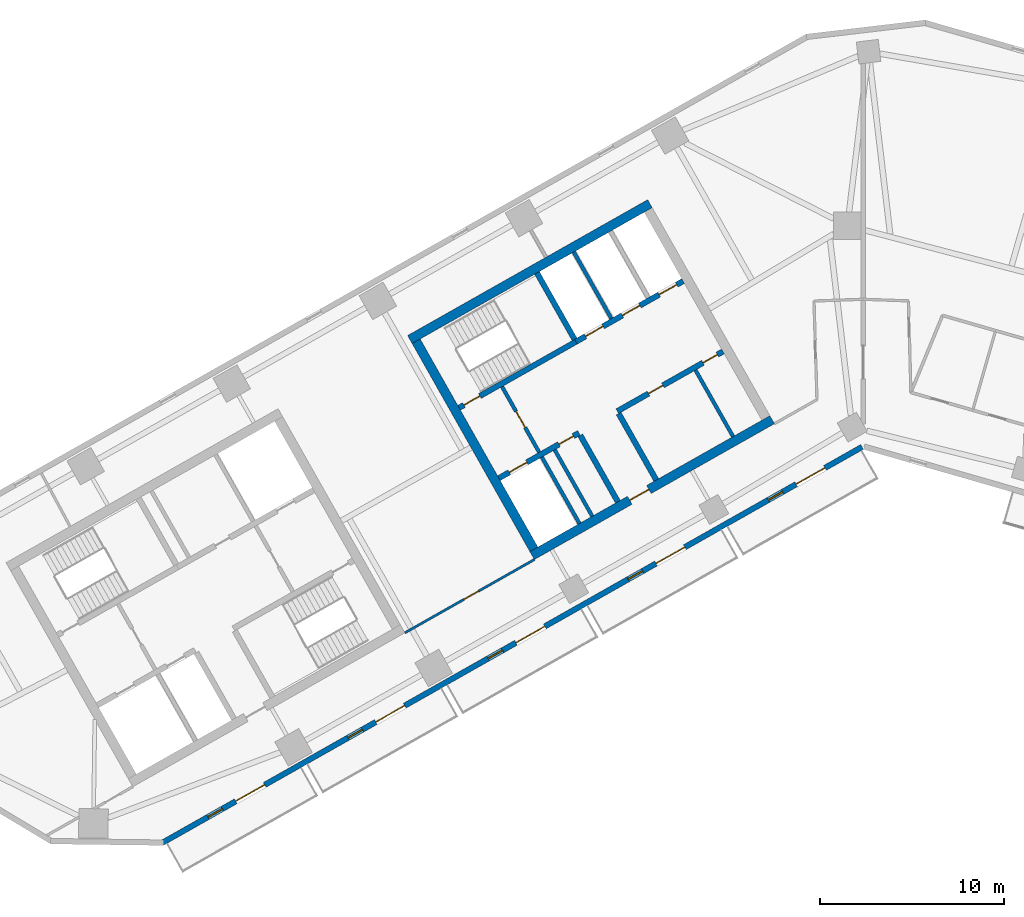
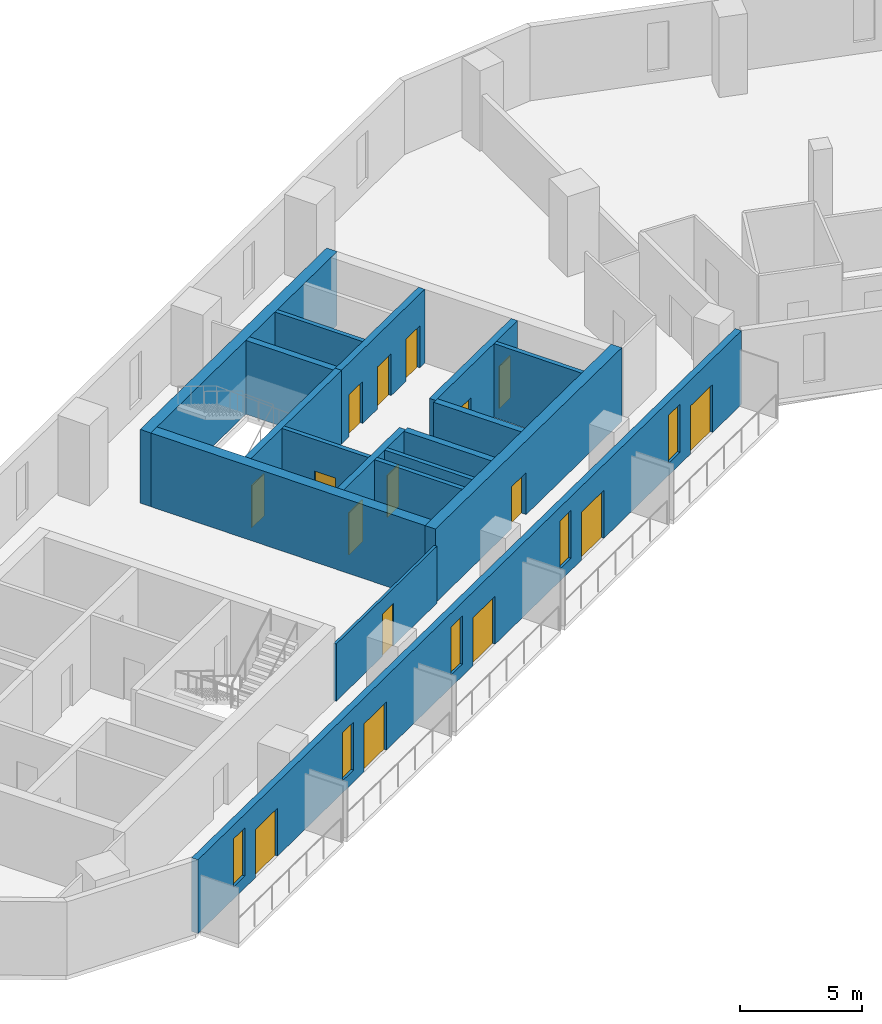
# One storey, part 4 of 9: 17 walls, 16 doors, 5 windows, 21 openings.
"""IFC4 building model written with IfcOpenShell, lengths in metres."""

import ifcopenshell
import ifcopenshell.guid

model = None  # the IFC model being written
_history = None  # IfcOwnerHistory: only IFC2X3 demands one
_inside = {}  # id of a spatial element -> (the spatial element, [elements in it])
_under = {}  # id of a project, library or spatial element -> (it, [spatial elements below it])
_declared = {}  # id of a project -> (the project, [libraries it declares])
_typed = {}  # id of a type object -> (the type object, [elements of that type])
_made_of = {}  # id of a material, layer set ... -> (it, [elements and type objects made of it])


def new_model(schema):
    """Start an empty IFC model of exactly this schema.

    Asked for "IFC4X3", IfcOpenShell would pick the latest addendum, in which some entities
    have other attributes; the version numbers below select the first issue.
    IFC2X3 requires an IfcOwnerHistory on every rooted entity: one is made here for all.
    """
    global model, _history
    if schema == "IFC4X3":
        model = ifcopenshell.file(schema_version=(4, 3, 0, 0))
    else:
        model = ifcopenshell.file(schema=schema)
    _inside.clear()
    _under.clear()
    _declared.clear()
    _typed.clear()
    _made_of.clear()
    _history = None
    if model.schema == "IFC2X3":
        org = make("IfcOrganization", Name="unknown")
        user = make(
            "IfcPersonAndOrganization",
            ThePerson=make("IfcPerson", FamilyName="unknown"),
            TheOrganization=org,
        )
        app = make(
            "IfcApplication",
            ApplicationDeveloper=org,
            Version="unknown",
            ApplicationFullName="unknown",
            ApplicationIdentifier="unknown",
        )
        _history = make(
            "IfcOwnerHistory",
            OwningUser=user,
            OwningApplication=app,
            ChangeAction="ADDED",
            CreationDate=0,
        )
    return model


def make(cls, **values):
    """One entity of the class cls with the attributes given. An attribute that is None is left unset."""
    return model.create_entity(
        cls, **{name: value for name, value in values.items() if value is not None}
    )


def rooted(cls, **values):
    """An entity with a GlobalId (a new one), such as an element, a storey or a relation."""
    return make(cls, GlobalId=ifcopenshell.guid.new(), OwnerHistory=_history, **values)


def si_unit(unit_type, name, prefix=None):
    """IfcSIUnit, for example si_unit("LENGTHUNIT", "METRE", prefix="MILLI")."""
    return make("IfcSIUnit", UnitType=unit_type, Prefix=prefix, Name=name)


def assignment(units):
    """IfcUnitAssignment: the units of a project."""
    return None if units is None else make("IfcUnitAssignment", Units=units)


def point(xyz):
    """IfcCartesianPoint."""
    return None if xyz is None else make("IfcCartesianPoint", Coordinates=xyz)


def direction(xyz):
    """IfcDirection."""
    return None if xyz is None else make("IfcDirection", DirectionRatios=xyz)


def frame(location, z_axis=None, x_axis=None):
    """IfcAxis2Placement3D, a coordinate frame: its origin and axes. An axis left out is left unset."""
    return make(
        "IfcAxis2Placement3D",
        Location=point(location),
        Axis=direction(z_axis),
        RefDirection=direction(x_axis),
    )


def frame_2d(location, x_axis=None):
    """IfcAxis2Placement2D, a coordinate frame in the plane: its origin and x axis."""
    return make(
        "IfcAxis2Placement2D", Location=point(location), RefDirection=direction(x_axis)
    )


def origin():
    """The frame at (0, 0, 0) with its axes left unset."""
    return frame((0.0, 0.0, 0.0))


def place(relative_to, where):
    """IfcLocalPlacement: puts the frame where relative to a parent placement (None: the world)."""
    return make(
        "IfcLocalPlacement", PlacementRelTo=relative_to, RelativePlacement=where
    )


def context(
    kind, dimensions, precision=None, world=None, true_north=None, identifier=None
):
    """IfcGeometricRepresentationContext, for example the 3D "Model" context."""
    return make(
        "IfcGeometricRepresentationContext",
        ContextIdentifier=identifier,
        ContextType=kind,
        CoordinateSpaceDimension=dimensions,
        Precision=precision,
        WorldCoordinateSystem=world,
        TrueNorth=true_north,
    )


def subcontext(parent, identifier, kind, view, scale=None):
    """IfcGeometricRepresentationSubContext, for example "Body" below "Model"."""
    return make(
        "IfcGeometricRepresentationSubContext",
        ContextIdentifier=identifier,
        ContextType=kind,
        ParentContext=parent,
        TargetScale=scale,
        TargetView=view,
    )


def project(units=None, contexts=None):
    """IfcProject with its units and contexts."""
    return rooted(
        "IfcProject",
        Name="project",
        RepresentationContexts=contexts,
        UnitsInContext=assignment(units),
    )


def spatial(cls, under=None, at=None, **own):
    """A site, building, storey or space (cls), placed at a placement, below another one or the project."""
    s = rooted(cls, ObjectPlacement=at, **own)
    if under is not None:
        _under.setdefault(under.id(), (under, []))[1].append(s)
    return s


def profile(cls, at=None, kind="AREA", **sizes):
    """A parametric profile (cls). Its sizes go by their IFC names, for example OverallWidth=200.0."""
    return make(cls, ProfileType=kind, Position=at, **sizes)


def rectangle(**sizes):
    """IfcRectangleProfileDef."""
    return profile("IfcRectangleProfileDef", **sizes)


def extrude(swept, where, along, depth):
    """IfcExtrudedAreaSolid: the profile swept, set in the frame where, extruded along a direction by depth."""
    return make(
        "IfcExtrudedAreaSolid",
        SweptArea=swept,
        Position=where,
        ExtrudedDirection=direction(along),
        Depth=depth,
    )


def shape(context_of_items, identifier, shape_type, items):
    """IfcShapeRepresentation: the items that make up one representation, for example the "Body"."""
    return make(
        "IfcShapeRepresentation",
        ContextOfItems=context_of_items,
        RepresentationIdentifier=identifier,
        RepresentationType=shape_type,
        Items=items,
    )


def material(Name=None, Category=None):
    """IfcMaterial."""
    return make("IfcMaterial", Name=Name, Category=Category)


def layer(
    of_material, thickness, ventilated=None, Name=None, Category=None, Priority=None
):
    """IfcMaterialLayer: one layer of a wall or slab, of a material (None: an air gap)."""
    return make(
        "IfcMaterialLayer",
        Material=of_material,
        LayerThickness=thickness,
        IsVentilated=ventilated,
        Name=Name,
        Category=Category,
        Priority=Priority,
    )


def layer_set(layers, Name=None):
    """IfcMaterialLayerSet."""
    return make("IfcMaterialLayerSet", MaterialLayers=layers, LayerSetName=Name)


def made_of(thing, what):
    """Note that an element or type object is made of a material, layer set ...; save() writes the relation."""
    if what is not None:
        _made_of.setdefault(what.id(), (what, []))[1].append(thing)
    return thing


def type_object(cls, material=None, **own):
    """A type object (cls), such as IfcWallType, which elements share."""
    return made_of(rooted(cls, **own), material)


def element(
    cls,
    number,
    at=None,
    inside=None,
    cuts=None,
    type_object=None,
    material=None,
    context=None,
    identifier="Body",
    shape_type=None,
    held_by="IfcProductDefinitionShape",
    body=None,
    shapes=None,
    **own,
):
    """One element of the class cls, such as IfcWall. Its Tag is "e" and its number.

    at: its placement. inside: the storey or other place that contains it. cuts: it is an
    opening in that element (IfcRelVoidsElement). A single representation is given by context,
    identifier, shape_type and body (its items); several are given by shapes. held_by: the class
    of the entity that holds the representations. save() writes the other relations.
    """
    e = rooted(cls, Tag="e%d" % number, ObjectPlacement=at, **own)
    if body is not None:
        shapes = [shape(context, identifier, shape_type, body)]
    if shapes is not None:
        e.Representation = make(held_by, Representations=shapes)
    if inside is not None:
        _inside.setdefault(inside.id(), (inside, []))[1].append(e)
    if cuts is not None:
        rooted(
            "IfcRelVoidsElement", RelatingBuildingElement=cuts, RelatedOpeningElement=e
        )
    if type_object is not None:
        _typed.setdefault(type_object.id(), (type_object, []))[1].append(e)
    return made_of(e, material)


def fill(opening, filler):
    """IfcRelFillsElement: the door or window that sits in an opening."""
    return rooted(
        "IfcRelFillsElement",
        RelatingOpeningElement=opening,
        RelatedBuildingElement=filler,
    )


def aggregate(whole, parts):
    """IfcRelAggregates: a whole, such as a stair, and the parts it consists of."""
    return rooted("IfcRelAggregates", RelatingObject=whole, RelatedObjects=parts)


def save(model, path):
    """Write the relations noted so far, then the file.

    IfcRelAggregates (storeys below a building ...), IfcRelContainedInSpatialStructure (elements
    in a storey), IfcRelDefinesByType, IfcRelAssociatesMaterial and IfcRelDeclares: one each for
    every whole, place, type object, material and project.
    """
    for whole, parts in _under.values():
        aggregate(whole, parts)
    for where, things in _inside.values():
        rooted(
            "IfcRelContainedInSpatialStructure",
            RelatedElements=things,
            RelatingStructure=where,
        )
    for kind, things in _typed.values():
        rooted("IfcRelDefinesByType", RelatedObjects=things, RelatingType=kind)
    for what, things in _made_of.values():
        rooted("IfcRelAssociatesMaterial", RelatedObjects=things, RelatingMaterial=what)
    for by, libraries in _declared.values():
        rooted("IfcRelDeclares", RelatingContext=by, RelatedDefinitions=libraries)
    model.write(path)


model = new_model("IFC4")

# Units and contexts
model_context = context("Model", 3, precision=1e-05, world=origin(), true_north=direction((0.0, 1.0)))
body_context = subcontext(model_context, "Body", "Model", "MODEL_VIEW")
ifc_project = project(units=[si_unit("LENGTHUNIT", "METRE"), si_unit("AREAUNIT", "SQUARE_METRE"), si_unit("VOLUMEUNIT", "CUBIC_METRE"), si_unit("PLANEANGLEUNIT", "RADIAN"), si_unit("MASSUNIT", "GRAM", prefix="KILO")], contexts=[model_context])

# Site, building, storey
site_placement = place(None, origin())
site = spatial("IfcSite", under=ifc_project, at=site_placement, CompositionType="ELEMENT")
building_placement = place(site_placement, origin())
building = spatial("IfcBuilding", under=site, at=building_placement, Name="Binnacle Exchange Tower", CompositionType="ELEMENT")
storey_placement = place(building_placement, frame((0.0, 0.0, 174.89990234375)))
storey = spatial("IfcBuildingStorey", under=building, at=storey_placement, Name="L37", CompositionType="ELEMENT", Elevation=174.89990234375)

# Wall
ifc_material_1 = material(Name="Gypsum partition fire rated")
ifc_layer_1 = layer(ifc_material_1, 0.199951171875)
ifc_layer_set_1 = layer_set([ifc_layer_1], Name="Core partition 200")
wall_type_1 = type_object("IfcWallType", Name="Core partition 200", PredefinedType="PARTITIONING", material=ifc_layer_set_1)
wall_1_placement = place(storey_placement, frame((-9.11279296875, 52.14404296875, 0.0), z_axis=(0.0, 0.0, 1.0), x_axis=(0.492396453737, -0.870371031427, 0.0)))
element("IfcWall", 1, at=wall_1_placement, inside=storey, type_object=wall_type_1, Name="Core wall CRWC22", PredefinedType="PARTITIONING", context=body_context, shape_type="SweptSolid", body=[
    extrude(rectangle(XDim=4.14990234375, YDim=0.199951171875, at=frame_2d((2.074951171875, 0.0))), origin(), (0.0, 0.0, 1.0), 3.68017578125),
])

# Wall, openings, doors
ifc_material_2 = material(Name="Concrete C70/85", Category="concrete")
ifc_layer_2 = layer(ifc_material_2, 0.300048828125)
ifc_layer_set_2 = layer_set([ifc_layer_2], Name="Core wall - front 300")
wall_type_2 = type_object("IfcWallType", Name="Core wall - front 300", PredefinedType="SOLIDWALL", material=ifc_layer_set_2)
wall_2_placement = place(storey_placement, frame((-19.80517578125, 46.26708984375, 0.0), z_axis=(0.0, 0.0, 1.0), x_axis=(0.870353598469, 0.492427267353, 0.0)))
wall_2 = element("IfcWall", 2, at=wall_2_placement, inside=storey, type_object=wall_type_2, Name="Core wall CRWC2", PredefinedType="SOLIDWALL", context=body_context, shape_type="SweptSolid", body=[
    extrude(rectangle(XDim=5.0, YDim=0.300048828125, at=frame_2d((2.5, 0.0))), origin(), (0.0, 0.0, 1.0), 3.68017578125),
])
opening_1_placement = place(wall_2_placement, frame((0.64990234375, 0.0, 0.0)))
opening_1 = element("IfcOpeningElement", 3, at=opening_1_placement, cuts=wall_2, Name="Opening LD14", PredefinedType="OPENING", context=body_context, shape_type="SweptSolid", body=[
    extrude(rectangle(XDim=1.10009765625, YDim=2.10009765625, at=frame_2d((0.550048828125, 1.050048828125))), frame((0.0, 0.159912109375, 0.0), z_axis=(0.0, -1.0, 0.0), x_axis=(1.0, 0.0, 0.0)), (0.0, 0.0, 1.0), 0.320068359375),
])
opening_2_placement = place(wall_2_placement, frame((3.75, 0.0, 0.0)))
opening_2 = element("IfcOpeningElement", 4, at=opening_2_placement, cuts=wall_2, Name="Opening DC14", PredefinedType="OPENING", context=body_context, shape_type="SweptSolid", body=[
    extrude(rectangle(XDim=0.89990234375, YDim=2.10009765625, at=frame_2d((0.449951171875, 1.050048828125))), frame((0.0, 0.159912109375, 0.0), z_axis=(0.0, -1.0, 0.0), x_axis=(1.0, 0.0, 0.0)), (0.0, 0.0, 1.0), 0.320068359375),
])
ifc_material_3 = material(Name="Steel door leaf", Category="steel")
door_type_1 = type_object("IfcDoorType", Name="Fire door - lift landing 1100", OperationType="NOTDEFINED", PredefinedType="DOOR", material=ifc_material_3)
door_1_placement = place(opening_1_placement, origin())
door_1 = element("IfcDoor", 5, at=door_1_placement, inside=storey, type_object=door_type_1, Name="Landing door LD14 L37", OperationType="DOUBLE_DOOR_SLIDING", OverallHeight=2.10009765625, OverallWidth=1.10009765625, PredefinedType="DOOR", context=body_context, shape_type="SweptSolid", body=[
    extrude(rectangle(XDim=1.10009765625, YDim=2.10009765625, at=frame_2d((0.550048828125, 1.050048828125))), frame((0.0, 0.02490234375, 0.0), z_axis=(0.0, -1.0, 0.0), x_axis=(1.0, 0.0, 0.0)), (0.0, 0.0, 1.0), 0.050048828125),
])
fill(opening_1, door_1)
door_type_2 = type_object("IfcDoorType", Name="Fire door 900", OperationType="NOTDEFINED", PredefinedType="DOOR", material=ifc_material_3)
door_2_placement = place(opening_2_placement, frame((0.89990234375, 0.0, 0.0), z_axis=(0.0, 0.0, 1.0), x_axis=(-1.0, 0.0, 0.0)))
door_2 = element("IfcDoor", 6, at=door_2_placement, inside=storey, type_object=door_type_2, Name="Core room door IT STORE", OperationType="SINGLE_SWING_LEFT", OverallHeight=2.10009765625, OverallWidth=0.89990234375, PredefinedType="DOOR", context=body_context, shape_type="SweptSolid", body=[
    extrude(rectangle(XDim=0.89990234375, YDim=2.10009765625, at=frame_2d((0.449951171875, 1.050048828125))), frame((0.0, 0.02490234375, 0.0), z_axis=(0.0, -1.0, 0.0), x_axis=(1.0, 0.0, 0.0)), (0.0, 0.0, 1.0), 0.050048828125),
])
fill(opening_2, door_2)

wall_3_placement = place(storey_placement, frame((-13.364501953125, 49.910888671875, 0.0), z_axis=(0.0, 0.0, 1.0), x_axis=(0.870356769198, 0.492421663121, 0.0)))
wall_3 = element("IfcWall", 7, at=wall_3_placement, inside=storey, type_object=wall_type_2, Name="Core wall CRWC3", PredefinedType="SOLIDWALL", context=body_context, shape_type="SweptSolid", body=[
    extrude(rectangle(XDim=6.60009765625, YDim=0.300048828125, at=frame_2d((3.300048828125, 0.0))), origin(), (0.0, 0.0, 1.0), 3.68017578125),
])
opening_3_placement = place(wall_3_placement, frame((1.949951171875, 0.0, 0.0)))
opening_3 = element("IfcOpeningElement", 8, at=opening_3_placement, cuts=wall_3, Name="Opening DC18", PredefinedType="OPENING", context=body_context, shape_type="SweptSolid", body=[
    extrude(rectangle(XDim=0.89990234375, YDim=2.10009765625, at=frame_2d((0.449951171875, 1.050048828125))), frame((0.0, 0.159912109375, 0.0), z_axis=(0.0, -1.0, 0.0), x_axis=(1.0, 0.0, 0.0)), (0.0, 0.0, 1.0), 0.320068359375),
])
opening_4_placement = place(wall_3_placement, frame((5.35009765625, 0.0, 0.0)))
opening_4 = element("IfcOpeningElement", 9, at=opening_4_placement, cuts=wall_3, Name="Opening DC19", PredefinedType="OPENING", context=body_context, shape_type="SweptSolid", body=[
    extrude(rectangle(XDim=0.89990234375, YDim=2.10009765625, at=frame_2d((0.449951171875, 1.050048828125))), frame((0.0, 0.159912109375, 0.0), z_axis=(0.0, -1.0, 0.0), x_axis=(1.0, 0.0, 0.0)), (0.0, 0.0, 1.0), 0.320068359375),
])
door_3_placement = place(opening_3_placement, frame((0.89990234375, 0.0, 0.0), z_axis=(0.0, 0.0, 1.0), x_axis=(-1.0, 0.0, 0.0)))
door_3 = element("IfcDoor", 10, at=door_3_placement, inside=storey, type_object=door_type_2, Name="Core room door TELECOM RISER ROOM", OperationType="SINGLE_SWING_RIGHT", OverallHeight=2.10009765625, OverallWidth=0.89990234375, PredefinedType="DOOR", context=body_context, shape_type="SweptSolid", body=[
    extrude(rectangle(XDim=0.89990234375, YDim=2.10009765625, at=frame_2d((0.449951171875, 1.050048828125))), frame((0.0, 0.02490234375, 0.0), z_axis=(0.0, -1.0, 0.0), x_axis=(1.0, 0.0, 0.0)), (0.0, 0.0, 1.0), 0.050048828125),
])
fill(opening_3, door_3)
door_4_placement = place(opening_4_placement, frame((0.89990234375, 0.0, 0.0), z_axis=(0.0, 0.0, 1.0), x_axis=(-1.0, 0.0, 0.0)))
door_4 = element("IfcDoor", 11, at=door_4_placement, inside=storey, type_object=door_type_2, Name="Core room door FIBRE ENTRY ROOM", OperationType="SINGLE_SWING_LEFT", OverallHeight=2.10009765625, OverallWidth=0.89990234375, PredefinedType="DOOR", context=body_context, shape_type="SweptSolid", body=[
    extrude(rectangle(XDim=0.89990234375, YDim=2.10009765625, at=frame_2d((0.449951171875, 1.050048828125))), frame((0.0, 0.02490234375, 0.0), z_axis=(0.0, -1.0, 0.0), x_axis=(1.0, 0.0, 0.0)), (0.0, 0.0, 1.0), 0.050048828125),
])
fill(opening_4, door_4)

wall_4_placement = place(storey_placement, frame((-15.6181640625, 53.69140625, 0.0), z_axis=(0.0, 0.0, 1.0), x_axis=(0.870363236066, 0.492410232738, 0.0)))
wall_4 = element("IfcWall", 12, at=wall_4_placement, inside=storey, type_object=wall_type_2, Name="Core wall CRWC5", PredefinedType="SOLIDWALL", context=body_context, shape_type="SweptSolid", body=[
    extrude(rectangle(XDim=6.699951171875, YDim=0.300048828125, at=frame_2d((3.35009765625, 0.0))), origin(), (0.0, 0.0, 1.0), 3.68017578125),
])
opening_5_placement = place(wall_4_placement, frame((0.60009765625, 0.0, 0.0)))
opening_5 = element("IfcOpeningElement", 13, at=opening_5_placement, cuts=wall_4, Name="Opening LD5", PredefinedType="OPENING", context=body_context, shape_type="SweptSolid", body=[
    extrude(rectangle(XDim=1.10009765625, YDim=2.10009765625, at=frame_2d((0.550048828125, 1.050048828125))), frame((0.0, 0.159912109375, 0.0), z_axis=(0.0, -1.0, 0.0), x_axis=(1.0, 0.0, 0.0)), (0.0, 0.0, 1.0), 0.320068359375),
])
opening_6_placement = place(wall_4_placement, frame((2.89990234375, 0.0, 0.0)))
opening_6 = element("IfcOpeningElement", 14, at=opening_6_placement, cuts=wall_4, Name="Opening LD6", PredefinedType="OPENING", context=body_context, shape_type="SweptSolid", body=[
    extrude(rectangle(XDim=1.10009765625, YDim=2.10009765625, at=frame_2d((0.550048828125, 1.050048828125))), frame((0.0, 0.159912109375, 0.0), z_axis=(0.0, -1.0, 0.0), x_axis=(1.0, 0.0, 0.0)), (0.0, 0.0, 1.0), 0.320068359375),
])
opening_7_placement = place(wall_4_placement, frame((5.199951171875, 0.0, 0.0)))
opening_7 = element("IfcOpeningElement", 15, at=opening_7_placement, cuts=wall_4, Name="Opening LD7", PredefinedType="OPENING", context=body_context, shape_type="SweptSolid", body=[
    extrude(rectangle(XDim=1.10009765625, YDim=2.10009765625, at=frame_2d((0.550048828125, 1.050048828125))), frame((0.0, 0.159912109375, 0.0), z_axis=(0.0, -1.0, 0.0), x_axis=(1.0, 0.0, 0.0)), (0.0, 0.0, 1.0), 0.320068359375),
])
door_5_placement = place(opening_5_placement, origin())
door_5 = element("IfcDoor", 16, at=door_5_placement, inside=storey, type_object=door_type_1, Name="Landing door LD5 L37", OperationType="DOUBLE_DOOR_SLIDING", OverallHeight=2.10009765625, OverallWidth=1.10009765625, PredefinedType="DOOR", context=body_context, shape_type="SweptSolid", body=[
    extrude(rectangle(XDim=1.10009765625, YDim=2.10009765625, at=frame_2d((0.550048828125, 1.050048828125))), frame((0.0, 0.02490234375, 0.0), z_axis=(0.0, -1.0, 0.0), x_axis=(1.0, 0.0, 0.0)), (0.0, 0.0, 1.0), 0.050048828125),
])
fill(opening_5, door_5)
door_6_placement = place(opening_6_placement, origin())
door_6 = element("IfcDoor", 17, at=door_6_placement, inside=storey, type_object=door_type_1, Name="Landing door LD6 L37", OperationType="DOUBLE_DOOR_SLIDING", OverallHeight=2.10009765625, OverallWidth=1.10009765625, PredefinedType="DOOR", context=body_context, shape_type="SweptSolid", body=[
    extrude(rectangle(XDim=1.10009765625, YDim=2.10009765625, at=frame_2d((0.550048828125, 1.050048828125))), frame((0.0, 0.02490234375, 0.0), z_axis=(0.0, -1.0, 0.0), x_axis=(1.0, 0.0, 0.0)), (0.0, 0.0, 1.0), 0.050048828125),
])
fill(opening_6, door_6)
door_7_placement = place(opening_7_placement, origin())
door_7 = element("IfcDoor", 18, at=door_7_placement, inside=storey, type_object=door_type_1, Name="Landing door LD7 L37", OperationType="DOUBLE_DOOR_SLIDING", OverallHeight=2.10009765625, OverallWidth=1.10009765625, PredefinedType="DOOR", context=body_context, shape_type="SweptSolid", body=[
    extrude(rectangle(XDim=1.10009765625, YDim=2.10009765625, at=frame_2d((0.550048828125, 1.050048828125))), frame((0.0, 0.02490234375, 0.0), z_axis=(0.0, -1.0, 0.0), x_axis=(1.0, 0.0, 0.0)), (0.0, 0.0, 1.0), 0.050048828125),
])
fill(opening_7, door_7)

# Walls
for number, where, z_axis, x_axis, name in (
    (19, (-15.37939453125, 48.5986328125, 0.0), (0.0, 0.0, 1.0), (0.492396453737, -0.870371031427, 0.0), "Core wall CRWC13"),
    (20, (-13.29052734375, 49.780517578125, 0.0), (0.0, 0.0, 1.0), (0.492396453737, -0.870371031427, 0.0), "Core wall CRWC15"),
):
    element("IfcWall", number, at=place(storey_placement, frame(where, z_axis=z_axis, x_axis=x_axis)), inside=storey, type_object=wall_type_2, Name=name, PredefinedType="SOLIDWALL", context=body_context, shape_type="SweptSolid", body=[
        extrude(rectangle(XDim=4.14990234375, YDim=0.300048828125, at=frame_2d((2.074951171875, 0.0))), origin(), (0.0, 0.0, 1.0), 3.68017578125),
    ])

# Wall, opening, door
ifc_layer_3 = layer(ifc_material_2, 0.5)
ifc_layer_set_3 = layer_set([ifc_layer_3], Name="Core wall - outer 500")
wall_type_3 = type_object("IfcWallType", Name="Core wall - outer 500", PredefinedType="SOLIDWALL", material=ifc_layer_set_3)
wall_5_placement = place(storey_placement, frame((-17.999755859375, 42.060791015625, 0.0), z_axis=(0.0, 0.0, 1.0), x_axis=(0.870356627484, 0.492421913601, 0.0)))
wall_5 = element("IfcWall", 21, at=wall_5_placement, inside=storey, type_object=wall_type_3, Name="Core wall CRWC1", PredefinedType="SOLIDWALL", context=body_context, shape_type="SweptSolid", body=[
    extrude(rectangle(XDim=14.999755859375, YDim=0.5, at=frame_2d((7.5, 0.0))), origin(), (0.0, 0.0, 1.0), 3.68017578125),
])
opening_8_placement = place(wall_5_placement, frame((6.10009765625, 0.0, 0.0)))
opening_8 = element("IfcOpeningElement", 22, at=opening_8_placement, cuts=wall_5, Name="Opening DC7", PredefinedType="OPENING", context=body_context, shape_type="SweptSolid", body=[
    extrude(rectangle(XDim=1.199951171875, YDim=2.10009765625, at=frame_2d((0.60009765625, 1.050048828125))), frame((0.0, 0.260009765625, 0.0), z_axis=(0.0, -1.0, 0.0), x_axis=(1.0, 0.0, 0.0)), (0.0, 0.0, 1.0), 0.52001953125),
])
door_type_3 = type_object("IfcDoorType", Name="Fire door 1200", OperationType="NOTDEFINED", PredefinedType="DOOR", material=ifc_material_3)
door_8_placement = place(opening_8_placement, frame((1.199951171875, 0.0, 0.0), z_axis=(0.0, 0.0, 1.0), x_axis=(-1.0, 0.0, 0.0)))
door_8 = element("IfcDoor", 23, at=door_8_placement, inside=storey, type_object=door_type_3, Name="Lift lobby entrance door core C", OperationType="SINGLE_SWING_RIGHT", OverallHeight=2.10009765625, OverallWidth=1.199951171875, PredefinedType="DOOR", context=body_context, shape_type="SweptSolid", body=[
    extrude(rectangle(XDim=1.199951171875, YDim=2.10009765625, at=frame_2d((0.60009765625, 1.050048828125))), frame((0.0, 0.02490234375, 0.0), z_axis=(0.0, -1.0, 0.0), x_axis=(1.0, 0.0, 0.0)), (0.0, 0.0, 1.0), 0.050048828125),
])
fill(opening_8, door_8)

# Walls
wall_6_placement = place(storey_placement, frame((-24.6474609375, 53.810546875, 0.0), z_axis=(0.0, 0.0, 1.0), x_axis=(0.87034965173, 0.492434243055, 0.0)))
element("IfcWall", 24, at=wall_6_placement, inside=storey, type_object=wall_type_3, Name="Core wall CRWC6", PredefinedType="SOLIDWALL", context=body_context, shape_type="SweptSolid", body=[
    extrude(rectangle(XDim=15.0, YDim=0.5, at=frame_2d((7.5, 0.0))), origin(), (0.0, 0.0, 1.0), 3.68017578125),
])
wall_7_placement = place(storey_placement, frame((-24.306884765625, 53.716064453125, 0.0), z_axis=(0.0, 0.0, 1.0), x_axis=(0.492427267353, -0.870353598469, 0.0)))
element("IfcWall", 25, at=wall_7_placement, inside=storey, type_object=wall_type_3, Name="Core wall CRWC7", PredefinedType="SOLIDWALL", context=body_context, shape_type="SweptSolid", body=[
    extrude(rectangle(XDim=13.0, YDim=0.5, at=frame_2d((6.5, 0.0))), origin(), (0.0, 0.0, 1.0), 3.68017578125),
])

# Wall, opening, door
ifc_layer_4 = layer(ifc_material_2, 0.300048828125)
ifc_layer_set_4 = layer_set([ifc_layer_4], Name="Core wall - stair 300")
wall_type_4 = type_object("IfcWallType", Name="Core wall - stair 300", PredefinedType="SOLIDWALL", material=ifc_layer_set_4)
wall_8_placement = place(storey_placement, frame((-21.9716796875, 50.0966796875, 0.0), z_axis=(0.0, 0.0, 1.0), x_axis=(0.870350976978, 0.492431900747, 0.0)))
wall_8 = element("IfcWall", 26, at=wall_8_placement, inside=storey, type_object=wall_type_4, Name="Core wall CRWC4", PredefinedType="SOLIDWALL", context=body_context, shape_type="SweptSolid", body=[
    extrude(rectangle(XDim=7.300048828125, YDim=0.300048828125, at=frame_2d((3.64990234375, 0.0))), origin(), (0.0, 0.0, 1.0), 3.68017578125),
])
opening_9_placement = place(wall_8_placement, frame((0.300048828125, 0.0, 0.0)))
opening_9 = element("IfcOpeningElement", 27, at=opening_9_placement, cuts=wall_8, Name="Opening DC1", PredefinedType="OPENING", context=body_context, shape_type="SweptSolid", body=[
    extrude(rectangle(XDim=1.0, YDim=2.10009765625, at=frame_2d((0.5, 1.050048828125))), frame((0.0, 0.159912109375, 0.0), z_axis=(0.0, -1.0, 0.0), x_axis=(1.0, 0.0, 0.0)), (0.0, 0.0, 1.0), 0.320068359375),
])
door_type_4 = type_object("IfcDoorType", Name="Fire door 1000", OperationType="NOTDEFINED", PredefinedType="DOOR", material=ifc_material_3)
door_9_placement = place(opening_9_placement, origin())
door_9 = element("IfcDoor", 28, at=door_9_placement, inside=storey, type_object=door_type_4, Name="Stair door ST-C1", OperationType="SINGLE_SWING_LEFT", OverallHeight=2.10009765625, OverallWidth=1.0, PredefinedType="DOOR", context=body_context, shape_type="SweptSolid", body=[
    extrude(rectangle(XDim=1.0, YDim=2.10009765625, at=frame_2d((0.5, 1.050048828125))), frame((0.0, 0.02490234375, 0.0), z_axis=(0.0, -1.0, 0.0), x_axis=(1.0, 0.0, 0.0)), (0.0, 0.0, 1.0), 0.050048828125),
])
fill(opening_9, door_9)

# Wall
wall_9_placement = place(storey_placement, frame((-17.735595703125, 57.433837890625, 0.0), z_axis=(0.0, 0.0, 1.0), x_axis=(0.492421666909, -0.870356767055, 0.0)))
element("IfcWall", 29, at=wall_9_placement, inside=storey, type_object=wall_type_4, Name="Core wall CRWC14", PredefinedType="SOLIDWALL", context=body_context, shape_type="SweptSolid", body=[
    extrude(rectangle(XDim=4.14990234375, YDim=0.300048828125, at=frame_2d((2.074951171875, 0.0))), origin(), (0.0, 0.0, 1.0), 3.68017578125),
])

# Wall, openings, doors, windows
ifc_material_4 = material(Name="Bronze aluminium cladding", Category="aluminium")
ifc_layer_5 = layer(ifc_material_4, 0.300048828125)
ifc_layer_set_5 = layer_set([ifc_layer_5], Name="External wall - spandrel 300")
wall_type_5 = type_object("IfcWallType", Name="External wall - spandrel 300", PredefinedType="STANDARD", material=ifc_layer_set_5)
wall_10_placement = place(storey_placement, frame((-0.0546875, 47.968994140625, 0.0), z_axis=(0.0, 0.0, 1.0), x_axis=(-0.870355730478, -0.492423499058, 0.0)))
wall_10 = element("IfcWall", 30, at=wall_10_placement, inside=storey, type_object=wall_type_5, Name="External wall EW-G01 L37", PredefinedType="STANDARD", context=body_context, shape_type="SweptSolid", body=[
    extrude(rectangle(XDim=43.750244140625, YDim=0.300048828125, at=frame_2d((21.875, 0.0))), origin(), (0.0, 0.0, 1.0), 3.68017578125),
])
opening_10_placement = place(wall_10_placement, frame((39.976806640625, 0.0, 0.60009765625)))
opening_10 = element("IfcOpeningElement", 31, at=opening_10_placement, cuts=wall_10, Name="Opening WS3", PredefinedType="OPENING", context=body_context, shape_type="SweptSolid", body=[
    extrude(rectangle(XDim=0.89990234375, YDim=2.39990234375, at=frame_2d((0.449951171875, 1.199951171875))), frame((0.0, 0.159912109375, 0.0), z_axis=(0.0, -1.0, 0.0), x_axis=(1.0, 0.0, 0.0)), (0.0, 0.0, 1.0), 0.320068359375),
])
opening_11_placement = place(wall_10_placement, frame((37.338134765625, 0.0, 0.0)))
opening_11 = element("IfcOpeningElement", 32, at=opening_11_placement, cuts=wall_10, Name="Opening D-FS11-01", PredefinedType="OPENING", context=body_context, shape_type="SweptSolid", body=[
    extrude(rectangle(XDim=1.800048828125, YDim=2.39990234375, at=frame_2d((0.89990234375, 1.199951171875))), frame((0.0, 0.159912109375, 0.0), z_axis=(0.0, -1.0, 0.0), x_axis=(1.0, 0.0, 0.0)), (0.0, 0.0, 1.0), 0.320068359375),
])
opening_12_placement = place(wall_10_placement, frame((31.222412109375, 0.0, 0.60009765625)))
opening_12 = element("IfcOpeningElement", 33, at=opening_12_placement, cuts=wall_10, Name="Opening WS3", PredefinedType="OPENING", context=body_context, shape_type="SweptSolid", body=[
    extrude(rectangle(XDim=0.89990234375, YDim=2.39990234375, at=frame_2d((0.449951171875, 1.199951171875))), frame((0.0, 0.159912109375, 0.0), z_axis=(0.0, -1.0, 0.0), x_axis=(1.0, 0.0, 0.0)), (0.0, 0.0, 1.0), 0.320068359375),
])
opening_13_placement = place(wall_10_placement, frame((28.583740234375, 0.0, 0.0)))
opening_13 = element("IfcOpeningElement", 34, at=opening_13_placement, cuts=wall_10, Name="Opening D-FS11-02", PredefinedType="OPENING", context=body_context, shape_type="SweptSolid", body=[
    extrude(rectangle(XDim=1.800048828125, YDim=2.39990234375, at=frame_2d((0.89990234375, 1.199951171875))), frame((0.0, 0.159912109375, 0.0), z_axis=(0.0, -1.0, 0.0), x_axis=(1.0, 0.0, 0.0)), (0.0, 0.0, 1.0), 0.320068359375),
])
opening_14_placement = place(wall_10_placement, frame((22.4677734375, 0.0, 0.60009765625)))
opening_14 = element("IfcOpeningElement", 35, at=opening_14_placement, cuts=wall_10, Name="Opening WS3", PredefinedType="OPENING", context=body_context, shape_type="SweptSolid", body=[
    extrude(rectangle(XDim=0.89990234375, YDim=2.39990234375, at=frame_2d((0.449951171875, 1.199951171875))), frame((0.0, 0.159912109375, 0.0), z_axis=(0.0, -1.0, 0.0), x_axis=(1.0, 0.0, 0.0)), (0.0, 0.0, 1.0), 0.320068359375),
])
opening_15_placement = place(wall_10_placement, frame((19.8291015625, 0.0, 0.0)))
opening_15 = element("IfcOpeningElement", 36, at=opening_15_placement, cuts=wall_10, Name="Opening D-FS11-03", PredefinedType="OPENING", context=body_context, shape_type="SweptSolid", body=[
    extrude(rectangle(XDim=1.800048828125, YDim=2.39990234375, at=frame_2d((0.89990234375, 1.199951171875))), frame((0.0, 0.159912109375, 0.0), z_axis=(0.0, -1.0, 0.0), x_axis=(1.0, 0.0, 0.0)), (0.0, 0.0, 1.0), 0.320068359375),
])
opening_16_placement = place(wall_10_placement, frame((13.713134765625, 0.0, 0.60009765625)))
opening_16 = element("IfcOpeningElement", 37, at=opening_16_placement, cuts=wall_10, Name="Opening WS3", PredefinedType="OPENING", context=body_context, shape_type="SweptSolid", body=[
    extrude(rectangle(XDim=0.89990234375, YDim=2.39990234375, at=frame_2d((0.449951171875, 1.199951171875))), frame((0.0, 0.159912109375, 0.0), z_axis=(0.0, -1.0, 0.0), x_axis=(1.0, 0.0, 0.0)), (0.0, 0.0, 1.0), 0.320068359375),
])
opening_17_placement = place(wall_10_placement, frame((11.07470703125, 0.0, 0.0)))
opening_17 = element("IfcOpeningElement", 38, at=opening_17_placement, cuts=wall_10, Name="Opening D-FS11-04", PredefinedType="OPENING", context=body_context, shape_type="SweptSolid", body=[
    extrude(rectangle(XDim=1.800048828125, YDim=2.39990234375, at=frame_2d((0.89990234375, 1.199951171875))), frame((0.0, 0.159912109375, 0.0), z_axis=(0.0, -1.0, 0.0), x_axis=(1.0, 0.0, 0.0)), (0.0, 0.0, 1.0), 0.320068359375),
])
opening_18_placement = place(wall_10_placement, frame((4.958740234375, 0.0, 0.60009765625)))
opening_18 = element("IfcOpeningElement", 39, at=opening_18_placement, cuts=wall_10, Name="Opening WS3", PredefinedType="OPENING", context=body_context, shape_type="SweptSolid", body=[
    extrude(rectangle(XDim=0.89990234375, YDim=2.39990234375, at=frame_2d((0.449951171875, 1.199951171875))), frame((0.0, 0.159912109375, 0.0), z_axis=(0.0, -1.0, 0.0), x_axis=(1.0, 0.0, 0.0)), (0.0, 0.0, 1.0), 0.320068359375),
])
opening_19_placement = place(wall_10_placement, frame((2.320068359375, 0.0, 0.0)))
opening_19 = element("IfcOpeningElement", 40, at=opening_19_placement, cuts=wall_10, Name="Opening D-FS11-05", PredefinedType="OPENING", context=body_context, shape_type="SweptSolid", body=[
    extrude(rectangle(XDim=1.800048828125, YDim=2.39990234375, at=frame_2d((0.89990234375, 1.199951171875))), frame((0.0, 0.159912109375, 0.0), z_axis=(0.0, -1.0, 0.0), x_axis=(1.0, 0.0, 0.0)), (0.0, 0.0, 1.0), 0.320068359375),
])
ifc_material_5 = material(Name="Bronze anodised aluminium frame", Category="aluminium")
door_type_5 = type_object("IfcDoorType", Name="DB DOOR 1800x2400", OperationType="DOUBLE_DOOR_SINGLE_SWING", PredefinedType="DOOR", material=ifc_material_5)
door_10_placement = place(opening_11_placement, origin())
door_10 = element("IfcDoor", 41, at=door_10_placement, inside=storey, type_object=door_type_5, Name="Door D-FS11-01 L37", OperationType="DOUBLE_DOOR_SINGLE_SWING", OverallHeight=2.39990234375, OverallWidth=1.800048828125, PredefinedType="DOOR", context=body_context, shape_type="SweptSolid", body=[
    extrude(rectangle(XDim=1.800048828125, YDim=2.39990234375, at=frame_2d((0.89990234375, 1.199951171875))), frame((0.0, 0.02490234375, 0.0), z_axis=(0.0, -1.0, 0.0), x_axis=(1.0, 0.0, 0.0)), (0.0, 0.0, 1.0), 0.050048828125),
])
fill(opening_11, door_10)
door_11_placement = place(opening_13_placement, origin())
door_11 = element("IfcDoor", 42, at=door_11_placement, inside=storey, type_object=door_type_5, Name="Door D-FS11-02 L37", OperationType="DOUBLE_DOOR_SINGLE_SWING", OverallHeight=2.39990234375, OverallWidth=1.800048828125, PredefinedType="DOOR", context=body_context, shape_type="SweptSolid", body=[
    extrude(rectangle(XDim=1.800048828125, YDim=2.39990234375, at=frame_2d((0.89990234375, 1.199951171875))), frame((0.0, 0.02490234375, 0.0), z_axis=(0.0, -1.0, 0.0), x_axis=(1.0, 0.0, 0.0)), (0.0, 0.0, 1.0), 0.050048828125),
])
fill(opening_13, door_11)
door_12_placement = place(opening_15_placement, origin())
door_12 = element("IfcDoor", 43, at=door_12_placement, inside=storey, type_object=door_type_5, Name="Door D-FS11-03 L37", OperationType="DOUBLE_DOOR_SINGLE_SWING", OverallHeight=2.39990234375, OverallWidth=1.800048828125, PredefinedType="DOOR", context=body_context, shape_type="SweptSolid", body=[
    extrude(rectangle(XDim=1.800048828125, YDim=2.39990234375, at=frame_2d((0.89990234375, 1.199951171875))), frame((0.0, 0.02490234375, 0.0), z_axis=(0.0, -1.0, 0.0), x_axis=(1.0, 0.0, 0.0)), (0.0, 0.0, 1.0), 0.050048828125),
])
fill(opening_15, door_12)
door_13_placement = place(opening_17_placement, origin())
door_13 = element("IfcDoor", 44, at=door_13_placement, inside=storey, type_object=door_type_5, Name="Door D-FS11-04 L37", OperationType="DOUBLE_DOOR_SINGLE_SWING", OverallHeight=2.39990234375, OverallWidth=1.800048828125, PredefinedType="DOOR", context=body_context, shape_type="SweptSolid", body=[
    extrude(rectangle(XDim=1.800048828125, YDim=2.39990234375, at=frame_2d((0.89990234375, 1.199951171875))), frame((0.0, 0.02490234375, 0.0), z_axis=(0.0, -1.0, 0.0), x_axis=(1.0, 0.0, 0.0)), (0.0, 0.0, 1.0), 0.050048828125),
])
fill(opening_17, door_13)
door_14_placement = place(opening_19_placement, origin())
door_14 = element("IfcDoor", 45, at=door_14_placement, inside=storey, type_object=door_type_5, Name="Door D-FS11-05 L37", OperationType="DOUBLE_DOOR_SINGLE_SWING", OverallHeight=2.39990234375, OverallWidth=1.800048828125, PredefinedType="DOOR", context=body_context, shape_type="SweptSolid", body=[
    extrude(rectangle(XDim=1.800048828125, YDim=2.39990234375, at=frame_2d((0.89990234375, 1.199951171875))), frame((0.0, 0.02490234375, 0.0), z_axis=(0.0, -1.0, 0.0), x_axis=(1.0, 0.0, 0.0)), (0.0, 0.0, 1.0), 0.050048828125),
])
fill(opening_19, door_14)
window_type = type_object("IfcWindowType", Name="WS3 WINDOW 900x2400", PartitioningType="SINGLE_PANEL", PredefinedType="WINDOW", material=ifc_material_5)
window_1_placement = place(opening_10_placement, origin())
window_1 = element("IfcWindow", 46, at=window_1_placement, inside=storey, type_object=window_type, Name="Window WS3 L37", OverallHeight=2.39990234375, OverallWidth=0.89990234375, PartitioningType="SINGLE_PANEL", PredefinedType="WINDOW", context=body_context, shape_type="SweptSolid", body=[
    extrude(rectangle(XDim=0.89990234375, YDim=2.39990234375, at=frame_2d((0.449951171875, 1.199951171875))), frame((0.0, 0.030029296875, 0.0), z_axis=(0.0, -1.0, 0.0), x_axis=(1.0, 0.0, 0.0)), (0.0, 0.0, 1.0), 0.06005859375),
])
fill(opening_10, window_1)
window_2_placement = place(opening_12_placement, origin())
window_2 = element("IfcWindow", 47, at=window_2_placement, inside=storey, type_object=window_type, Name="Window WS3 L37", OverallHeight=2.39990234375, OverallWidth=0.89990234375, PartitioningType="SINGLE_PANEL", PredefinedType="WINDOW", context=body_context, shape_type="SweptSolid", body=[
    extrude(rectangle(XDim=0.89990234375, YDim=2.39990234375, at=frame_2d((0.449951171875, 1.199951171875))), frame((0.0, 0.030029296875, 0.0), z_axis=(0.0, -1.0, 0.0), x_axis=(1.0, 0.0, 0.0)), (0.0, 0.0, 1.0), 0.06005859375),
])
fill(opening_12, window_2)
window_3_placement = place(opening_14_placement, origin())
window_3 = element("IfcWindow", 48, at=window_3_placement, inside=storey, type_object=window_type, Name="Window WS3 L37", OverallHeight=2.39990234375, OverallWidth=0.89990234375, PartitioningType="SINGLE_PANEL", PredefinedType="WINDOW", context=body_context, shape_type="SweptSolid", body=[
    extrude(rectangle(XDim=0.89990234375, YDim=2.39990234375, at=frame_2d((0.449951171875, 1.199951171875))), frame((0.0, 0.030029296875, 0.0), z_axis=(0.0, -1.0, 0.0), x_axis=(1.0, 0.0, 0.0)), (0.0, 0.0, 1.0), 0.06005859375),
])
fill(opening_14, window_3)
window_4_placement = place(opening_16_placement, origin())
window_4 = element("IfcWindow", 49, at=window_4_placement, inside=storey, type_object=window_type, Name="Window WS3 L37", OverallHeight=2.39990234375, OverallWidth=0.89990234375, PartitioningType="SINGLE_PANEL", PredefinedType="WINDOW", context=body_context, shape_type="SweptSolid", body=[
    extrude(rectangle(XDim=0.89990234375, YDim=2.39990234375, at=frame_2d((0.449951171875, 1.199951171875))), frame((0.0, 0.030029296875, 0.0), z_axis=(0.0, -1.0, 0.0), x_axis=(1.0, 0.0, 0.0)), (0.0, 0.0, 1.0), 0.06005859375),
])
fill(opening_16, window_4)
window_5_placement = place(opening_18_placement, origin())
window_5 = element("IfcWindow", 50, at=window_5_placement, inside=storey, type_object=window_type, Name="Window WS3 L37", OverallHeight=2.39990234375, OverallWidth=0.89990234375, PartitioningType="SINGLE_PANEL", PredefinedType="WINDOW", context=body_context, shape_type="SweptSolid", body=[
    extrude(rectangle(XDim=0.89990234375, YDim=2.39990234375, at=frame_2d((0.449951171875, 1.199951171875))), frame((0.0, 0.030029296875, 0.0), z_axis=(0.0, -1.0, 0.0), x_axis=(1.0, 0.0, 0.0)), (0.0, 0.0, 1.0), 0.06005859375),
])
fill(opening_18, window_5)

# Wall, opening, door
ifc_material_6 = material(Name="Masonry block wall", Category="masonry")
ifc_layer_6 = layer(ifc_material_6, 0.199951171875)
ifc_layer_set_6 = layer_set([ifc_layer_6], Name="Fire wall - vestibule 200")
wall_type_6 = type_object("IfcWallType", Name="Fire wall - vestibule 200", PredefinedType="PARTITIONING", material=ifc_layer_set_6)
wall_11_placement = place(storey_placement, frame((-19.635009765625, 51.246337890625, 0.0), z_axis=(0.0, 0.0, 1.0), x_axis=(0.492408451753, -0.87036424366, 0.0)))
wall_11 = element("IfcWall", 51, at=wall_11_placement, inside=storey, type_object=wall_type_6, Name="Core wall CRWC10", PredefinedType="PARTITIONING", context=body_context, shape_type="SweptSolid", body=[
    extrude(rectangle(XDim=4.099853515625, YDim=0.199951171875, at=frame_2d((2.0498046875, 0.0))), origin(), (0.0, 0.0, 1.0), 3.68017578125),
])
opening_20_placement = place(wall_11_placement, frame((1.550048828125, 0.0, 0.0)))
opening_20 = element("IfcOpeningElement", 52, at=opening_20_placement, cuts=wall_11, Name="Opening DC3", PredefinedType="OPENING", context=body_context, shape_type="SweptSolid", body=[
    extrude(rectangle(XDim=1.0, YDim=2.10009765625, at=frame_2d((0.5, 1.050048828125))), frame((0.0, 0.10986328125, 0.0), z_axis=(0.0, -1.0, 0.0), x_axis=(1.0, 0.0, 0.0)), (0.0, 0.0, 1.0), 0.219970703125),
])
door_15_placement = place(opening_20_placement, frame((1.0, 0.0, 0.0), z_axis=(0.0, 0.0, 1.0), x_axis=(-1.0, 0.0, 0.0)))
door_15 = element("IfcDoor", 53, at=door_15_placement, inside=storey, type_object=door_type_4, Name="Vestibule door VEST-W", OperationType="SINGLE_SWING_RIGHT", OverallHeight=2.10009765625, OverallWidth=1.0, PredefinedType="DOOR", context=body_context, shape_type="SweptSolid", body=[
    extrude(rectangle(XDim=1.0, YDim=2.10009765625, at=frame_2d((0.5, 1.050048828125))), frame((0.0, 0.02490234375, 0.0), z_axis=(0.0, -1.0, 0.0), x_axis=(1.0, 0.0, 0.0)), (0.0, 0.0, 1.0), 0.050048828125),
])
fill(opening_20, door_15)

ifc_material_7 = material(Name="Gypsum partition")
ifc_layer_7 = layer(ifc_material_7, 0.125)
ifc_layer_set_7 = layer_set([ifc_layer_7], Name="Partition 125")
wall_type_7 = type_object("IfcWallType", Name="Partition 125", PredefinedType="PARTITIONING", material=ifc_layer_set_7)
wall_12_placement = place(storey_placement, frame((-24.9189453125, 37.85888671875, 0.0), z_axis=(0.0, 0.0, 1.0), x_axis=(0.870357635969, 0.492420131098, 0.0)))
wall_12 = element("IfcWall", 54, at=wall_12_placement, inside=storey, type_object=wall_type_7, Name="Partition W04", PredefinedType="PARTITIONING", context=body_context, shape_type="SweptSolid", body=[
    extrude(rectangle(XDim=8.0908203125, YDim=0.125, at=frame_2d((4.04541015625, 0.0))), origin(), (0.0, 0.0, 1.0), 2.85205078125),
])
opening_21_placement = place(wall_12_placement, frame((3.699951171875, 0.0, 0.0)))
opening_21 = element("IfcOpeningElement", 55, at=opening_21_placement, cuts=wall_12, Name="Opening DL35-02", PredefinedType="OPENING", context=body_context, shape_type="SweptSolid", body=[
    extrude(rectangle(XDim=0.89990234375, YDim=2.10009765625, at=frame_2d((0.449951171875, 1.050048828125))), frame((0.0, 0.072509765625, 0.0), z_axis=(0.0, -1.0, 0.0), x_axis=(1.0, 0.0, 0.0)), (0.0, 0.0, 1.0), 0.14501953125),
])
ifc_material_8 = material(Name="Timber door leaf", Category="wood")
door_type_6 = type_object("IfcDoorType", Name="Door 900", OperationType="NOTDEFINED", PredefinedType="DOOR", material=ifc_material_8)
door_16_placement = place(opening_21_placement, origin())
door_16 = element("IfcDoor", 56, at=door_16_placement, inside=storey, type_object=door_type_6, Name="Door DL35-02", OperationType="SINGLE_SWING_RIGHT", OverallHeight=2.10009765625, OverallWidth=0.89990234375, PredefinedType="DOOR", context=body_context, shape_type="SweptSolid", body=[
    extrude(rectangle(XDim=0.89990234375, YDim=2.10009765625, at=frame_2d((0.449951171875, 1.050048828125))), frame((0.0, 0.02490234375, 0.0), z_axis=(0.0, -1.0, 0.0), x_axis=(1.0, 0.0, 0.0)), (0.0, 0.0, 1.0), 0.050048828125),
])
fill(opening_21, door_16)

# Walls
ifc_layer_8 = layer(ifc_material_6, 0.199951171875)
ifc_layer_set_8 = layer_set([ifc_layer_8], Name="Riser wall 200")
wall_type_8 = type_object("IfcWallType", Name="Riser wall 200", PredefinedType="SOLIDWALL", material=ifc_layer_set_8)
for number, where, z_axis, x_axis, name in (
    (57, (-17.468505859375, 47.416748046875, 0.0), (0.0, 0.0, 1.0), (0.492441017253, -0.870345818929, 0.0), "Core wall CRWC8"),
    (58, (-16.772216796875, 47.810791015625, 0.0), (0.0, 0.0, 1.0), (0.492441017253, -0.870345818929, 0.0), "Core wall CRWC11"),
):
    element("IfcWall", number, at=place(storey_placement, frame(where, z_axis=z_axis, x_axis=x_axis)), inside=storey, type_object=wall_type_8, Name=name, PredefinedType="SOLIDWALL", context=body_context, shape_type="SweptSolid", body=[
        extrude(rectangle(XDim=4.150146484375, YDim=0.199951171875, at=frame_2d((2.0751953125, 0.0))), origin(), (0.0, 0.0, 1.0), 3.68017578125),
    ])
ifc_layer_9 = layer(ifc_material_6, 0.199951171875)
ifc_layer_set_9 = layer_set([ifc_layer_9], Name="Shaft wall 200")
wall_type_9 = type_object("IfcWallType", Name="Shaft wall 200", PredefinedType="SOLIDWALL", material=ifc_layer_set_9)
wall_13_placement = place(storey_placement, frame((-15.73388671875, 58.56640625, 0.0), z_axis=(0.0, 0.0, 1.0), x_axis=(0.492441017253, -0.870345818929, 0.0)))
element("IfcWall", 59, at=wall_13_placement, inside=storey, type_object=wall_type_9, Name="Core wall CRWC18", PredefinedType="SOLIDWALL", context=body_context, shape_type="SweptSolid", body=[
    extrude(rectangle(XDim=4.150146484375, YDim=0.199951171875, at=frame_2d((2.0751953125, 0.0))), origin(), (0.0, 0.0, 1.0), 3.68017578125),
])

save(model, "model.ifc")
